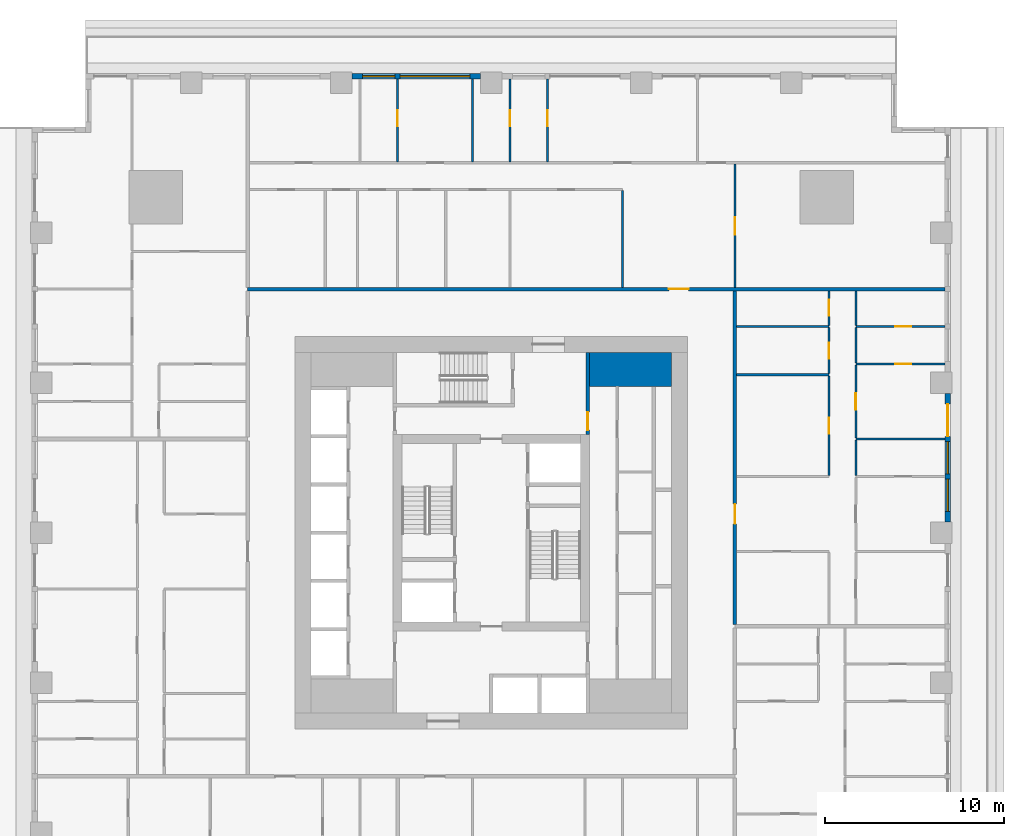
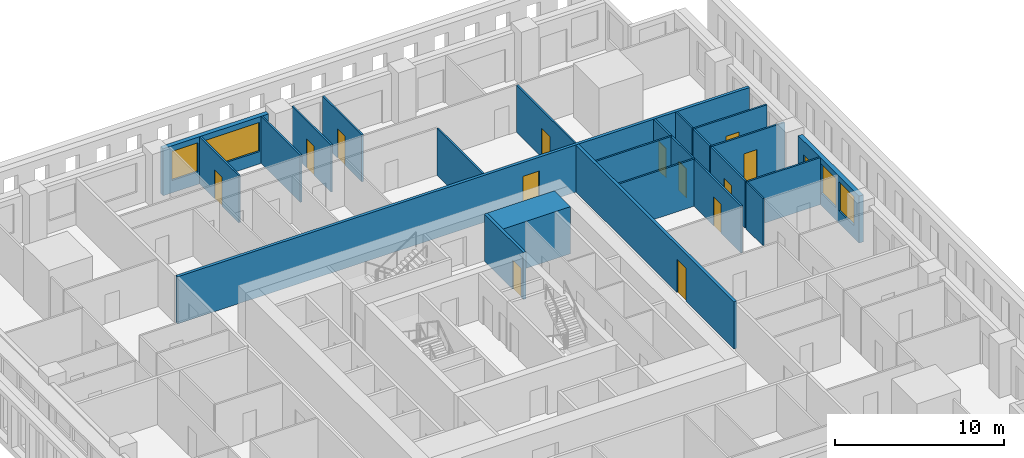
# One storey, part 8 of 14: 24 walls, 14 doors, 4 windows, 18 openings.
"""IFC4 building model written with IfcOpenShell, lengths in metres."""

import ifcopenshell
import ifcopenshell.guid

model = None  # the IFC model being written
_history = None  # IfcOwnerHistory: only IFC2X3 demands one
_inside = {}  # id of a spatial element -> (the spatial element, [elements in it])
_under = {}  # id of a project, library or spatial element -> (it, [spatial elements below it])
_declared = {}  # id of a project -> (the project, [libraries it declares])
_typed = {}  # id of a type object -> (the type object, [elements of that type])
_made_of = {}  # id of a material, layer set ... -> (it, [elements and type objects made of it])


def new_model(schema):
    """Start an empty IFC model of exactly this schema.

    Asked for "IFC4X3", IfcOpenShell would pick the latest addendum, in which some entities
    have other attributes; the version numbers below select the first issue.
    IFC2X3 requires an IfcOwnerHistory on every rooted entity: one is made here for all.
    """
    global model, _history
    if schema == "IFC4X3":
        model = ifcopenshell.file(schema_version=(4, 3, 0, 0))
    else:
        model = ifcopenshell.file(schema=schema)
    _inside.clear()
    _under.clear()
    _declared.clear()
    _typed.clear()
    _made_of.clear()
    _history = None
    if model.schema == "IFC2X3":
        org = make("IfcOrganization", Name="unknown")
        user = make(
            "IfcPersonAndOrganization",
            ThePerson=make("IfcPerson", FamilyName="unknown"),
            TheOrganization=org,
        )
        app = make(
            "IfcApplication",
            ApplicationDeveloper=org,
            Version="unknown",
            ApplicationFullName="unknown",
            ApplicationIdentifier="unknown",
        )
        _history = make(
            "IfcOwnerHistory",
            OwningUser=user,
            OwningApplication=app,
            ChangeAction="ADDED",
            CreationDate=0,
        )
    return model


def make(cls, **values):
    """One entity of the class cls with the attributes given. An attribute that is None is left unset."""
    return model.create_entity(
        cls, **{name: value for name, value in values.items() if value is not None}
    )


def rooted(cls, **values):
    """An entity with a GlobalId (a new one), such as an element, a storey or a relation."""
    return make(cls, GlobalId=ifcopenshell.guid.new(), OwnerHistory=_history, **values)


def si_unit(unit_type, name, prefix=None):
    """IfcSIUnit, for example si_unit("LENGTHUNIT", "METRE", prefix="MILLI")."""
    return make("IfcSIUnit", UnitType=unit_type, Prefix=prefix, Name=name)


def assignment(units):
    """IfcUnitAssignment: the units of a project."""
    return None if units is None else make("IfcUnitAssignment", Units=units)


def point(xyz):
    """IfcCartesianPoint."""
    return None if xyz is None else make("IfcCartesianPoint", Coordinates=xyz)


def direction(xyz):
    """IfcDirection."""
    return None if xyz is None else make("IfcDirection", DirectionRatios=xyz)


def frame(location, z_axis=None, x_axis=None):
    """IfcAxis2Placement3D, a coordinate frame: its origin and axes. An axis left out is left unset."""
    return make(
        "IfcAxis2Placement3D",
        Location=point(location),
        Axis=direction(z_axis),
        RefDirection=direction(x_axis),
    )


def frame_2d(location, x_axis=None):
    """IfcAxis2Placement2D, a coordinate frame in the plane: its origin and x axis."""
    return make(
        "IfcAxis2Placement2D", Location=point(location), RefDirection=direction(x_axis)
    )


def origin():
    """The frame at (0, 0, 0) with its axes left unset."""
    return frame((0.0, 0.0, 0.0))


def place(relative_to, where):
    """IfcLocalPlacement: puts the frame where relative to a parent placement (None: the world)."""
    return make(
        "IfcLocalPlacement", PlacementRelTo=relative_to, RelativePlacement=where
    )


def context(
    kind, dimensions, precision=None, world=None, true_north=None, identifier=None
):
    """IfcGeometricRepresentationContext, for example the 3D "Model" context."""
    return make(
        "IfcGeometricRepresentationContext",
        ContextIdentifier=identifier,
        ContextType=kind,
        CoordinateSpaceDimension=dimensions,
        Precision=precision,
        WorldCoordinateSystem=world,
        TrueNorth=true_north,
    )


def subcontext(parent, identifier, kind, view, scale=None):
    """IfcGeometricRepresentationSubContext, for example "Body" below "Model"."""
    return make(
        "IfcGeometricRepresentationSubContext",
        ContextIdentifier=identifier,
        ContextType=kind,
        ParentContext=parent,
        TargetScale=scale,
        TargetView=view,
    )


def project(units=None, contexts=None):
    """IfcProject with its units and contexts."""
    return rooted(
        "IfcProject",
        Name="project",
        RepresentationContexts=contexts,
        UnitsInContext=assignment(units),
    )


def spatial(cls, under=None, at=None, **own):
    """A site, building, storey or space (cls), placed at a placement, below another one or the project."""
    s = rooted(cls, ObjectPlacement=at, **own)
    if under is not None:
        _under.setdefault(under.id(), (under, []))[1].append(s)
    return s


def profile(cls, at=None, kind="AREA", **sizes):
    """A parametric profile (cls). Its sizes go by their IFC names, for example OverallWidth=200.0."""
    return make(cls, ProfileType=kind, Position=at, **sizes)


def rectangle(**sizes):
    """IfcRectangleProfileDef."""
    return profile("IfcRectangleProfileDef", **sizes)


def extrude(swept, where, along, depth):
    """IfcExtrudedAreaSolid: the profile swept, set in the frame where, extruded along a direction by depth."""
    return make(
        "IfcExtrudedAreaSolid",
        SweptArea=swept,
        Position=where,
        ExtrudedDirection=direction(along),
        Depth=depth,
    )


def shape(context_of_items, identifier, shape_type, items):
    """IfcShapeRepresentation: the items that make up one representation, for example the "Body"."""
    return make(
        "IfcShapeRepresentation",
        ContextOfItems=context_of_items,
        RepresentationIdentifier=identifier,
        RepresentationType=shape_type,
        Items=items,
    )


def material(Name=None, Category=None):
    """IfcMaterial."""
    return make("IfcMaterial", Name=Name, Category=Category)


def layer(
    of_material, thickness, ventilated=None, Name=None, Category=None, Priority=None
):
    """IfcMaterialLayer: one layer of a wall or slab, of a material (None: an air gap)."""
    return make(
        "IfcMaterialLayer",
        Material=of_material,
        LayerThickness=thickness,
        IsVentilated=ventilated,
        Name=Name,
        Category=Category,
        Priority=Priority,
    )


def layer_set(layers, Name=None):
    """IfcMaterialLayerSet."""
    return make("IfcMaterialLayerSet", MaterialLayers=layers, LayerSetName=Name)


def made_of(thing, what):
    """Note that an element or type object is made of a material, layer set ...; save() writes the relation."""
    if what is not None:
        _made_of.setdefault(what.id(), (what, []))[1].append(thing)
    return thing


def type_object(cls, material=None, **own):
    """A type object (cls), such as IfcWallType, which elements share."""
    return made_of(rooted(cls, **own), material)


def element(
    cls,
    number,
    at=None,
    inside=None,
    cuts=None,
    type_object=None,
    material=None,
    context=None,
    identifier="Body",
    shape_type=None,
    held_by="IfcProductDefinitionShape",
    body=None,
    shapes=None,
    **own,
):
    """One element of the class cls, such as IfcWall. Its Tag is "e" and its number.

    at: its placement. inside: the storey or other place that contains it. cuts: it is an
    opening in that element (IfcRelVoidsElement). A single representation is given by context,
    identifier, shape_type and body (its items); several are given by shapes. held_by: the class
    of the entity that holds the representations. save() writes the other relations.
    """
    e = rooted(cls, Tag="e%d" % number, ObjectPlacement=at, **own)
    if body is not None:
        shapes = [shape(context, identifier, shape_type, body)]
    if shapes is not None:
        e.Representation = make(held_by, Representations=shapes)
    if inside is not None:
        _inside.setdefault(inside.id(), (inside, []))[1].append(e)
    if cuts is not None:
        rooted(
            "IfcRelVoidsElement", RelatingBuildingElement=cuts, RelatedOpeningElement=e
        )
    if type_object is not None:
        _typed.setdefault(type_object.id(), (type_object, []))[1].append(e)
    return made_of(e, material)


def fill(opening, filler):
    """IfcRelFillsElement: the door or window that sits in an opening."""
    return rooted(
        "IfcRelFillsElement",
        RelatingOpeningElement=opening,
        RelatedBuildingElement=filler,
    )


def aggregate(whole, parts):
    """IfcRelAggregates: a whole, such as a stair, and the parts it consists of."""
    return rooted("IfcRelAggregates", RelatingObject=whole, RelatedObjects=parts)


def save(model, path):
    """Write the relations noted so far, then the file.

    IfcRelAggregates (storeys below a building ...), IfcRelContainedInSpatialStructure (elements
    in a storey), IfcRelDefinesByType, IfcRelAssociatesMaterial and IfcRelDeclares: one each for
    every whole, place, type object, material and project.
    """
    for whole, parts in _under.values():
        aggregate(whole, parts)
    for where, things in _inside.values():
        rooted(
            "IfcRelContainedInSpatialStructure",
            RelatedElements=things,
            RelatingStructure=where,
        )
    for kind, things in _typed.values():
        rooted("IfcRelDefinesByType", RelatedObjects=things, RelatingType=kind)
    for what, things in _made_of.values():
        rooted("IfcRelAssociatesMaterial", RelatedObjects=things, RelatingMaterial=what)
    for by, libraries in _declared.values():
        rooted("IfcRelDeclares", RelatingContext=by, RelatedDefinitions=libraries)
    model.write(path)


model = new_model("IFC4")

# Units and contexts
model_context = context("Model", 3, precision=1e-05, world=origin(), true_north=direction((0.0, 1.0)))
body_context = subcontext(model_context, "Body", "Model", "MODEL_VIEW")
ifc_project = project(units=[si_unit("LENGTHUNIT", "METRE"), si_unit("AREAUNIT", "SQUARE_METRE"), si_unit("VOLUMEUNIT", "CUBIC_METRE"), si_unit("PLANEANGLEUNIT", "RADIAN"), si_unit("MASSUNIT", "GRAM", prefix="KILO")], contexts=[model_context])

# Site, building, storey
site_placement = place(None, origin())
site = spatial("IfcSite", under=ifc_project, at=site_placement, CompositionType="ELEMENT")
building_placement = place(site_placement, origin())
building = spatial("IfcBuilding", under=site, at=building_placement, Name="Khepri Terraces", CompositionType="ELEMENT")
storey_placement = place(building_placement, frame((0.0, 0.0, 69.89990234375)))
storey = spatial("IfcBuildingStorey", under=building, at=storey_placement, Name="L16", CompositionType="ELEMENT", Elevation=69.89990234375)

# Wall
ifc_material_1 = material(Name="Concrete C80/95", Category="concrete")
ifc_layer_1 = layer(ifc_material_1, 1.89990234375, Name="Concrete C80/95", Category="concrete")
ifc_layer_set_1 = layer_set([ifc_layer_1], Name="Concrete C80/95")
wall_type_1 = type_object("IfcWallType", Name="Core wall 1900 C80/95", PredefinedType="SHEAR", material=ifc_layer_set_1)
wall_1_placement = place(storey_placement, frame((5.5, 9.14990234375, 0.0), z_axis=(0.0, 0.0, 1.0), x_axis=(1.0, 0.0, 0.0)))
element("IfcWall", 1, at=wall_1_placement, inside=storey, type_object=wall_type_1, Name="Core wall PR04 L16", PredefinedType="SHEAR", context=body_context, shape_type="SweptSolid", body=[
    extrude(rectangle(XDim=4.60009765625, YDim=1.89990234375, at=frame_2d((2.300048828125, 0.0))), origin(), (0.0, 0.0, 1.0), 3.400146484375),
])

# Wall, opening, door
ifc_material_2 = material(Name="Fire-rated gypsum board partition")
ifc_layer_2 = layer(ifc_material_2, 0.199951171875, Name="Fire-rated gypsum board partition")
ifc_layer_set_2 = layer_set([ifc_layer_2], Name="Fire-rated gypsum board partition")
wall_type_2 = type_object("IfcWallType", Name="WL-CORE-PART-200", PredefinedType="PARTITIONING", material=ifc_layer_set_2)
wall_2_placement = place(storey_placement, frame((5.39990234375, 5.5, 0.0), z_axis=(0.0, 0.0, 1.0), x_axis=(0.0, 1.0, 0.0)))
wall_2 = element("IfcWall", 2, at=wall_2_placement, inside=storey, type_object=wall_type_2, Name="Core partition PT08 L16", PredefinedType="PARTITIONING", context=body_context, shape_type="SweptSolid", body=[
    extrude(rectangle(XDim=4.60009765625, YDim=0.199951171875, at=frame_2d((2.300048828125, 0.0))), origin(), (0.0, 0.0, 1.0), 3.400146484375),
])
opening_1_placement = place(wall_2_placement, frame((0.25, 0.0, 0.0)))
opening_1 = element("IfcOpeningElement", 3, at=opening_1_placement, cuts=wall_2, Name="Opening L16-C17", PredefinedType="OPENING", context=body_context, shape_type="SweptSolid", body=[
    extrude(rectangle(XDim=1.0, YDim=2.10009765625, at=frame_2d((0.5, 1.050048828125))), frame((0.0, 0.10986328125, 0.0), z_axis=(0.0, -1.0, 0.0), x_axis=(1.0, 0.0, 0.0)), (0.0, 0.0, 1.0), 0.219970703125),
])
ifc_material_3 = material(Name="Painted steel", Category="steel")
door_type_1 = type_object("IfcDoorType", Name="DR-CORE-LOBBY-1000", OperationType="NOTDEFINED", PredefinedType="DOOR", material=ifc_material_3)
door_1_placement = place(opening_1_placement, origin())
door_1 = element("IfcDoor", 4, at=door_1_placement, inside=storey, type_object=door_type_1, Name="Lobby door L16-C17", OperationType="SINGLE_SWING_LEFT", OverallHeight=2.10009765625, OverallWidth=1.0, PredefinedType="DOOR", context=body_context, shape_type="SweptSolid", body=[
    extrude(rectangle(XDim=1.0, YDim=2.10009765625, at=frame_2d((0.5, 1.050048828125))), frame((0.0, 0.02490234375, 0.0), z_axis=(0.0, -1.0, 0.0), x_axis=(1.0, 0.0, 0.0)), (0.0, 0.0, 1.0), 0.050048828125),
])
fill(opening_1, door_1)

ifc_material_4 = material(Name="Fire-rated gypsum plasterboard partition, mineral wool")
ifc_layer_3 = layer(ifc_material_4, 0.199951171875, Name="Fire-rated gypsum plasterboard partition, mineral wool")
ifc_layer_set_3 = layer_set([ifc_layer_3], Name="Fire-rated gypsum plasterboard partition, mineral wool")
wall_type_3 = type_object("IfcWallType", Name="WL-CORR-200", PredefinedType="PARTITIONING", material=ifc_layer_set_3)
wall_3_placement = place(storey_placement, frame((13.64990234375, -5.14990234375, 0.0), z_axis=(0.0, 0.0, 1.0), x_axis=(0.0, 1.0, 0.0)))
wall_3 = element("IfcWall", 5, at=wall_3_placement, inside=storey, type_object=wall_type_3, Name="Partition P-042 L16", PredefinedType="PARTITIONING", context=body_context, shape_type="SweptSolid", body=[
    extrude(rectangle(XDim=18.699951171875, YDim=0.199951171875, at=frame_2d((9.35009765625, 0.0))), origin(), (0.0, 0.0, 1.0), 3.400146484375),
])
opening_2_placement = place(wall_3_placement, frame((5.64990234375, 0.0, 0.0)))
opening_2 = element("IfcOpeningElement", 6, at=opening_2_placement, cuts=wall_3, Name="Opening D1", PredefinedType="OPENING", context=body_context, shape_type="SweptSolid", body=[
    extrude(rectangle(XDim=1.10009765625, YDim=2.39990234375, at=frame_2d((0.550048828125, 1.199951171875))), frame((0.0, 0.10986328125, 0.0), z_axis=(0.0, -1.0, 0.0), x_axis=(1.0, 0.0, 0.0)), (0.0, 0.0, 1.0), 0.219970703125),
])
ifc_material_5 = material(Name="Solid-core timber door leaf, flat entrance door", Category="wood")
door_type_2 = type_object("IfcDoorType", Name="DR-ENT-1100", OperationType="NOTDEFINED", PredefinedType="DOOR", material=ifc_material_5)
door_2_placement = place(opening_2_placement, frame((1.10009765625, 0.0, 0.0), z_axis=(0.0, 0.0, 1.0), x_axis=(-1.0, 0.0, 0.0)))
door_2 = element("IfcDoor", 7, at=door_2_placement, inside=storey, type_object=door_type_2, Name="Flat B2 entrance door", OperationType="SINGLE_SWING_RIGHT", OverallHeight=2.39990234375, OverallWidth=1.10009765625, PredefinedType="DOOR", context=body_context, shape_type="SweptSolid", body=[
    extrude(rectangle(XDim=1.10009765625, YDim=2.39990234375, at=frame_2d((0.550048828125, 1.199951171875))), frame((0.0, 0.02490234375, 0.0), z_axis=(0.0, -1.0, 0.0), x_axis=(1.0, 0.0, 0.0)), (0.0, 0.0, 1.0), 0.050048828125),
])
fill(opening_2, door_2)

wall_4_placement = place(storey_placement, frame((-13.64990234375, 13.64990234375, 0.0), z_axis=(0.0, 0.0, 1.0), x_axis=(1.0, 0.0, 0.0)))
wall_4 = element("IfcWall", 8, at=wall_4_placement, inside=storey, type_object=wall_type_3, Name="Partition P-079 L16", PredefinedType="PARTITIONING", context=body_context, shape_type="SweptSolid", body=[
    extrude(rectangle(XDim=39.06982421875, YDim=0.199951171875, at=frame_2d((19.534912109375, 0.0))), origin(), (0.0, 0.0, 1.0), 3.400146484375),
])
opening_3_placement = place(wall_4_placement, frame((23.60009765625, 0.0, 0.0)))
opening_3 = element("IfcOpeningElement", 9, at=opening_3_placement, cuts=wall_4, Name="Opening D1", PredefinedType="OPENING", context=body_context, shape_type="SweptSolid", body=[
    extrude(rectangle(XDim=1.10009765625, YDim=2.39990234375, at=frame_2d((0.550048828125, 1.199951171875))), frame((0.0, 0.10986328125, 0.0), z_axis=(0.0, -1.0, 0.0), x_axis=(1.0, 0.0, 0.0)), (0.0, 0.0, 1.0), 0.219970703125),
])
door_3_placement = place(opening_3_placement, origin())
door_3 = element("IfcDoor", 10, at=door_3_placement, inside=storey, type_object=door_type_2, Name="Flat C1 entrance door", OperationType="SINGLE_SWING_RIGHT", OverallHeight=2.39990234375, OverallWidth=1.10009765625, PredefinedType="DOOR", context=body_context, shape_type="SweptSolid", body=[
    extrude(rectangle(XDim=1.10009765625, YDim=2.39990234375, at=frame_2d((0.550048828125, 1.199951171875))), frame((0.0, 0.02490234375, 0.0), z_axis=(0.0, -1.0, 0.0), x_axis=(1.0, 0.0, 0.0)), (0.0, 0.0, 1.0), 0.050048828125),
])
fill(opening_3, door_3)

# Wall, openings, door, windows
ifc_material_6 = material(Name="Precast concrete C50/60 warm stone", Category="masonry")
ifc_layer_4 = layer(ifc_material_6, 0.300048828125, Name="Precast concrete C50/60 warm stone", Category="masonry")
ifc_layer_set_4 = layer_set([ifc_layer_4], Name="Precast concrete C50/60 warm stone")
wall_type_4 = type_object("IfcWallType", Name="WL-EXT-PRECAST-300", PredefinedType="STANDARD", material=ifc_layer_set_4)
wall_5_placement = place(storey_placement, frame((25.570068359375, 0.60009765625, 0.0), z_axis=(0.0, 0.0, 1.0), x_axis=(0.0, 1.0, 0.0)))
wall_5 = element("IfcWall", 11, at=wall_5_placement, inside=storey, type_object=wall_type_4, Name="External wall L16 E", PredefinedType="STANDARD", context=body_context, shape_type="SweptSolid", body=[
    extrude(rectangle(XDim=7.199951171875, YDim=0.300048828125, at=frame_2d((3.60009765625, 0.0))), origin(), (0.0, 0.0, 1.0), 3.400146484375),
])
opening_4_placement = place(wall_5_placement, frame((0.60009765625, 0.0, 0.89990234375)))
opening_4 = element("IfcOpeningElement", 12, at=opening_4_placement, cuts=wall_5, Name="Opening W1", PredefinedType="OPENING", context=body_context, shape_type="SweptSolid", body=[
    extrude(rectangle(XDim=1.800048828125, YDim=2.10009765625, at=frame_2d((0.89990234375, 1.050048828125))), frame((0.0, 0.16015625, 0.0), z_axis=(0.0, -1.0, 0.0), x_axis=(1.0, 0.0, 0.0)), (0.0, 0.0, 1.0), 0.320068359375),
])
opening_5_placement = place(wall_5_placement, frame((2.699951171875, 0.0, 0.89990234375)))
opening_5 = element("IfcOpeningElement", 13, at=opening_5_placement, cuts=wall_5, Name="Opening W1", PredefinedType="OPENING", context=body_context, shape_type="SweptSolid", body=[
    extrude(rectangle(XDim=1.800048828125, YDim=2.10009765625, at=frame_2d((0.89990234375, 1.050048828125))), frame((0.0, 0.16015625, 0.0), z_axis=(0.0, -1.0, 0.0), x_axis=(1.0, 0.0, 0.0)), (0.0, 0.0, 1.0), 0.320068359375),
])
opening_6_placement = place(wall_5_placement, frame((4.800048828125, 0.0, 0.0)))
opening_6 = element("IfcOpeningElement", 14, at=opening_6_placement, cuts=wall_5, Name="Opening ED-L16-05", PredefinedType="OPENING", context=body_context, shape_type="SweptSolid", body=[
    extrude(rectangle(XDim=1.800048828125, YDim=2.39990234375, at=frame_2d((0.89990234375, 1.199951171875))), frame((0.0, 0.16015625, 0.0), z_axis=(0.0, -1.0, 0.0), x_axis=(1.0, 0.0, 0.0)), (0.0, 0.0, 1.0), 0.320068359375),
])
ifc_material_7 = material(Name="Anodised aluminium bronze glazed door", Category="aluminium")
door_type_3 = type_object("IfcDoorType", Name="DR-BAL-SLIDE-1800x2400", OperationType="NOTDEFINED", PredefinedType="DOOR", material=ifc_material_7)
door_4_placement = place(opening_6_placement, origin())
door_4 = element("IfcDoor", 15, at=door_4_placement, inside=storey, type_object=door_type_3, Name="Balcony door L16 E", OperationType="SLIDING_TO_RIGHT", OverallHeight=2.39990234375, OverallWidth=1.800048828125, PredefinedType="DOOR", context=body_context, shape_type="SweptSolid", body=[
    extrude(rectangle(XDim=1.800048828125, YDim=2.39990234375, at=frame_2d((0.89990234375, 1.199951171875))), frame((0.0, 0.02490234375, 0.0), z_axis=(0.0, -1.0, 0.0), x_axis=(1.0, 0.0, 0.0)), (0.0, 0.0, 1.0), 0.050048828125),
])
fill(opening_6, door_4)
ifc_material_8 = material(Name="Clear glass", Category="glass")
window_type_1 = type_object("IfcWindowType", Name="WIN-RES-1800x2100", PartitioningType="SINGLE_PANEL", PredefinedType="WINDOW", material=ifc_material_8)
window_1_placement = place(opening_4_placement, origin())
window_1 = element("IfcWindow", 16, at=window_1_placement, inside=storey, type_object=window_type_1, Name="Window L16 E", OverallHeight=2.10009765625, OverallWidth=1.800048828125, PartitioningType="SINGLE_PANEL", PredefinedType="WINDOW", context=body_context, shape_type="SweptSolid", body=[
    extrude(rectangle(XDim=1.800048828125, YDim=2.10009765625, at=frame_2d((0.89990234375, 1.050048828125))), frame((0.0, 0.030029296875, 0.0), z_axis=(0.0, -1.0, 0.0), x_axis=(1.0, 0.0, 0.0)), (0.0, 0.0, 1.0), 0.06005859375),
])
fill(opening_4, window_1)
window_2_placement = place(opening_5_placement, origin())
window_2 = element("IfcWindow", 17, at=window_2_placement, inside=storey, type_object=window_type_1, Name="Window L16 E", OverallHeight=2.10009765625, OverallWidth=1.800048828125, PartitioningType="SINGLE_PANEL", PredefinedType="WINDOW", context=body_context, shape_type="SweptSolid", body=[
    extrude(rectangle(XDim=1.800048828125, YDim=2.10009765625, at=frame_2d((0.89990234375, 1.050048828125))), frame((0.0, 0.030029296875, 0.0), z_axis=(0.0, -1.0, 0.0), x_axis=(1.0, 0.0, 0.0)), (0.0, 0.0, 1.0), 0.06005859375),
])
fill(opening_5, window_2)

# Wall, openings, windows
wall_6_placement = place(storey_placement, frame((-0.60009765625, 25.570068359375, 0.0), z_axis=(0.0, 0.0, 1.0), x_axis=(-1.0, 0.0, 0.0)))
wall_6 = element("IfcWall", 18, at=wall_6_placement, inside=storey, type_object=wall_type_4, Name="External wall L16 N", PredefinedType="STANDARD", context=body_context, shape_type="SweptSolid", body=[
    extrude(rectangle(XDim=7.199951171875, YDim=0.300048828125, at=frame_2d((3.60009765625, 0.0))), origin(), (0.0, 0.0, 1.0), 3.400146484375),
])
opening_7_placement = place(wall_6_placement, frame((0.60009765625, 0.0, 0.89990234375)))
opening_7 = element("IfcOpeningElement", 19, at=opening_7_placement, cuts=wall_6, Name="Opening W2", PredefinedType="OPENING", context=body_context, shape_type="SweptSolid", body=[
    extrude(rectangle(XDim=3.89990234375, YDim=2.10009765625, at=frame_2d((1.949951171875, 1.050048828125))), frame((0.0, 0.16015625, 0.0), z_axis=(0.0, -1.0, 0.0), x_axis=(1.0, 0.0, 0.0)), (0.0, 0.0, 1.0), 0.320068359375),
])
opening_8_placement = place(wall_6_placement, frame((4.800048828125, 0.0, 0.89990234375)))
opening_8 = element("IfcOpeningElement", 20, at=opening_8_placement, cuts=wall_6, Name="Opening W1", PredefinedType="OPENING", context=body_context, shape_type="SweptSolid", body=[
    extrude(rectangle(XDim=1.800048828125, YDim=2.10009765625, at=frame_2d((0.89990234375, 1.050048828125))), frame((0.0, 0.16015625, 0.0), z_axis=(0.0, -1.0, 0.0), x_axis=(1.0, 0.0, 0.0)), (0.0, 0.0, 1.0), 0.320068359375),
])
window_3_placement = place(opening_8_placement, origin())
window_3 = element("IfcWindow", 21, at=window_3_placement, inside=storey, type_object=window_type_1, Name="Window L16 N", OverallHeight=2.10009765625, OverallWidth=1.800048828125, PartitioningType="SINGLE_PANEL", PredefinedType="WINDOW", context=body_context, shape_type="SweptSolid", body=[
    extrude(rectangle(XDim=1.800048828125, YDim=2.10009765625, at=frame_2d((0.89990234375, 1.050048828125))), frame((0.0, 0.030029296875, 0.0), z_axis=(0.0, -1.0, 0.0), x_axis=(1.0, 0.0, 0.0)), (0.0, 0.0, 1.0), 0.06005859375),
])
fill(opening_8, window_3)
window_type_2 = type_object("IfcWindowType", Name="WIN-RES-3900x2100", PartitioningType="SINGLE_PANEL", PredefinedType="WINDOW", material=ifc_material_8)
window_4_placement = place(opening_7_placement, origin())
window_4 = element("IfcWindow", 22, at=window_4_placement, inside=storey, type_object=window_type_2, Name="Window L16 N", OverallHeight=2.10009765625, OverallWidth=3.89990234375, PartitioningType="SINGLE_PANEL", PredefinedType="WINDOW", context=body_context, shape_type="SweptSolid", body=[
    extrude(rectangle(XDim=3.89990234375, YDim=2.10009765625, at=frame_2d((1.949951171875, 1.050048828125))), frame((0.0, 0.030029296875, 0.0), z_axis=(0.0, -1.0, 0.0), x_axis=(1.0, 0.0, 0.0)), (0.0, 0.0, 1.0), 0.06005859375),
])
fill(opening_7, window_4)

# Wall, opening, door
ifc_material_9 = material(Name="Gypsum plasterboard partition")
ifc_layer_5 = layer(ifc_material_9, 0.1201171875, Name="Gypsum plasterboard partition")
ifc_layer_set_5 = layer_set([ifc_layer_5], Name="Gypsum plasterboard partition")
wall_type_5 = type_object("IfcWallType", Name="WL-PART-120", PredefinedType="PARTITIONING", material=ifc_layer_set_5)
wall_7_placement = place(storey_placement, frame((18.919921875, 3.2099609375, 0.0), z_axis=(0.0, 0.0, 1.0), x_axis=(0.0, 1.0, 0.0)))
wall_7 = element("IfcWall", 23, at=wall_7_placement, inside=storey, type_object=wall_type_5, Name="Partition P-055 L16", PredefinedType="PARTITIONING", context=body_context, shape_type="SweptSolid", body=[
    extrude(rectangle(XDim=5.580078125, YDim=0.1201171875, at=frame_2d((2.7900390625, 0.0))), origin(), (0.0, 0.0, 1.0), 3.400146484375),
])
opening_9_placement = place(wall_7_placement, frame((2.340087890625, 0.0, 0.0)))
opening_9 = element("IfcOpeningElement", 24, at=opening_9_placement, cuts=wall_7, Name="Opening D3", PredefinedType="OPENING", context=body_context, shape_type="SweptSolid", body=[
    extrude(rectangle(XDim=0.89990234375, YDim=2.10009765625, at=frame_2d((0.449951171875, 1.050048828125))), frame((0.0, 0.070068359375, 0.0), z_axis=(0.0, -1.0, 0.0), x_axis=(1.0, 0.0, 0.0)), (0.0, 0.0, 1.0), 0.14013671875),
])
ifc_material_10 = material(Name="Timber door leaf", Category="wood")
door_type_4 = type_object("IfcDoorType", Name="DR-INT-900", OperationType="NOTDEFINED", PredefinedType="DOOR", material=ifc_material_10)
door_5_placement = place(opening_9_placement, origin())
door_5 = element("IfcDoor", 25, at=door_5_placement, inside=storey, type_object=door_type_4, Name="Door Kitchen", OperationType="SINGLE_SWING_RIGHT", OverallHeight=2.10009765625, OverallWidth=0.89990234375, PredefinedType="DOOR", context=body_context, shape_type="SweptSolid", body=[
    extrude(rectangle(XDim=0.89990234375, YDim=2.10009765625, at=frame_2d((0.449951171875, 1.050048828125))), frame((0.0, 0.02490234375, 0.0), z_axis=(0.0, -1.0, 0.0), x_axis=(1.0, 0.0, 0.0)), (0.0, 0.0, 1.0), 0.050048828125),
])
fill(opening_9, door_5)

# Walls
wall_8_placement = place(storey_placement, frame((20.419921875, 3.2099609375, 0.0), z_axis=(0.0, 0.0, 1.0), x_axis=(0.0, 1.0, 0.0)))
element("IfcWall", 26, at=wall_8_placement, inside=storey, type_object=wall_type_5, Name="Partition P-056 L16", PredefinedType="PARTITIONING", context=body_context, shape_type="SweptSolid", body=[
    extrude(rectangle(XDim=1.97998046875, YDim=0.1201171875, at=frame_2d((0.989990234375, 0.0))), origin(), (0.0, 0.0, 1.0), 3.400146484375),
])
wall_9_placement = place(storey_placement, frame((20.419921875, 5.25, 0.0), z_axis=(0.0, 0.0, 1.0), x_axis=(1.0, 0.0, 0.0)))
element("IfcWall", 27, at=wall_9_placement, inside=storey, type_object=wall_type_5, Name="Partition P-058 L16", PredefinedType="PARTITIONING", context=body_context, shape_type="SweptSolid", body=[
    extrude(rectangle(XDim=5.0, YDim=0.1201171875, at=frame_2d((2.5, 0.0))), origin(), (0.0, 0.0, 1.0), 3.400146484375),
])

# Wall, opening, door
wall_10_placement = place(storey_placement, frame((20.419921875, 5.31005859375, 0.0), z_axis=(0.0, 0.0, 1.0), x_axis=(0.0, 1.0, 0.0)))
wall_10 = element("IfcWall", 28, at=wall_10_placement, inside=storey, type_object=wall_type_5, Name="Partition P-059 L16", PredefinedType="PARTITIONING", context=body_context, shape_type="SweptSolid", body=[
    extrude(rectangle(XDim=4.079833984375, YDim=0.1201171875, at=frame_2d((2.0400390625, 0.0))), origin(), (0.0, 0.0, 1.0), 3.400146484375),
])
opening_10_placement = place(wall_10_placement, frame((1.590087890625, 0.0, 0.0)))
opening_10 = element("IfcOpeningElement", 29, at=opening_10_placement, cuts=wall_10, Name="Opening D3", PredefinedType="OPENING", context=body_context, shape_type="SweptSolid", body=[
    extrude(rectangle(XDim=0.89990234375, YDim=2.10009765625, at=frame_2d((0.449951171875, 1.050048828125))), frame((0.0, 0.070068359375, 0.0), z_axis=(0.0, -1.0, 0.0), x_axis=(1.0, 0.0, 0.0)), (0.0, 0.0, 1.0), 0.14013671875),
])
door_6_placement = place(opening_10_placement, frame((0.89990234375, 0.0, 0.0), z_axis=(0.0, 0.0, 1.0), x_axis=(-1.0, 0.0, 0.0)))
door_6 = element("IfcDoor", 30, at=door_6_placement, inside=storey, type_object=door_type_4, Name="Door Master Bedroom", OperationType="SINGLE_SWING_RIGHT", OverallHeight=2.10009765625, OverallWidth=0.89990234375, PredefinedType="DOOR", context=body_context, shape_type="SweptSolid", body=[
    extrude(rectangle(XDim=0.89990234375, YDim=2.10009765625, at=frame_2d((0.449951171875, 1.050048828125))), frame((0.0, 0.02490234375, 0.0), z_axis=(0.0, -1.0, 0.0), x_axis=(1.0, 0.0, 0.0)), (0.0, 0.0, 1.0), 0.050048828125),
])
fill(opening_10, door_6)

# Wall
wall_11_placement = place(storey_placement, frame((13.75, 8.85009765625, 0.0), z_axis=(0.0, 0.0, 1.0), x_axis=(1.0, 0.0, 0.0)))
element("IfcWall", 31, at=wall_11_placement, inside=storey, type_object=wall_type_5, Name="Partition P-067 L16", PredefinedType="PARTITIONING", context=body_context, shape_type="SweptSolid", body=[
    extrude(rectangle(XDim=5.169921875, YDim=0.1201171875, at=frame_2d((2.5849609375, 0.0))), origin(), (0.0, 0.0, 1.0), 3.400146484375),
])

# Wall, opening, door
wall_12_placement = place(storey_placement, frame((18.919921875, 8.909912109375, 0.0), z_axis=(0.0, 0.0, 1.0), x_axis=(0.0, 1.0, 0.0)))
wall_12 = element("IfcWall", 32, at=wall_12_placement, inside=storey, type_object=wall_type_5, Name="Partition P-068 L16", PredefinedType="PARTITIONING", context=body_context, shape_type="SweptSolid", body=[
    extrude(rectangle(XDim=2.580078125, YDim=0.1201171875, at=frame_2d((1.2900390625, 0.0))), origin(), (0.0, 0.0, 1.0), 3.400146484375),
])
opening_11_placement = place(wall_12_placement, frame((0.840087890625, 0.0, 0.0)))
opening_11 = element("IfcOpeningElement", 33, at=opening_11_placement, cuts=wall_12, Name="Opening D4", PredefinedType="OPENING", context=body_context, shape_type="SweptSolid", body=[
    extrude(rectangle(XDim=0.89990234375, YDim=2.10009765625, at=frame_2d((0.449951171875, 1.050048828125))), frame((0.0, 0.070068359375, 0.0), z_axis=(0.0, -1.0, 0.0), x_axis=(1.0, 0.0, 0.0)), (0.0, 0.0, 1.0), 0.14013671875),
])
ifc_material_11 = material(Name="Timber door leaf, moisture resistant", Category="wood")
door_type_5 = type_object("IfcDoorType", Name="DR-WET-900", OperationType="NOTDEFINED", PredefinedType="DOOR", material=ifc_material_11)
door_7_placement = place(opening_11_placement, origin())
door_7 = element("IfcDoor", 34, at=door_7_placement, inside=storey, type_object=door_type_5, Name="Door Powder Room", OperationType="SINGLE_SWING_LEFT", OverallHeight=2.10009765625, OverallWidth=0.89990234375, PredefinedType="DOOR", context=body_context, shape_type="SweptSolid", body=[
    extrude(rectangle(XDim=0.89990234375, YDim=2.10009765625, at=frame_2d((0.449951171875, 1.050048828125))), frame((0.0, 0.02490234375, 0.0), z_axis=(0.0, -1.0, 0.0), x_axis=(1.0, 0.0, 0.0)), (0.0, 0.0, 1.0), 0.050048828125),
])
fill(opening_11, door_7)

wall_13_placement = place(storey_placement, frame((20.419921875, 9.449951171875, 0.0), z_axis=(0.0, 0.0, 1.0), x_axis=(1.0, 0.0, 0.0)))
wall_13 = element("IfcWall", 35, at=wall_13_placement, inside=storey, type_object=wall_type_5, Name="Partition P-071 L16", PredefinedType="PARTITIONING", context=body_context, shape_type="SweptSolid", body=[
    extrude(rectangle(XDim=5.0, YDim=0.1201171875, at=frame_2d((2.5, 0.0))), origin(), (0.0, 0.0, 1.0), 3.400146484375),
])
opening_12_placement = place(wall_13_placement, frame((2.199951171875, 0.0, 0.0)))
opening_12 = element("IfcOpeningElement", 36, at=opening_12_placement, cuts=wall_13, Name="Opening D3", PredefinedType="OPENING", context=body_context, shape_type="SweptSolid", body=[
    extrude(rectangle(XDim=0.89990234375, YDim=2.10009765625, at=frame_2d((0.449951171875, 1.050048828125))), frame((0.0, 0.070068359375, 0.0), z_axis=(0.0, -1.0, 0.0), x_axis=(1.0, 0.0, 0.0)), (0.0, 0.0, 1.0), 0.14013671875),
])
door_8_placement = place(opening_12_placement, origin())
door_8 = element("IfcDoor", 37, at=door_8_placement, inside=storey, type_object=door_type_4, Name="Door Dressing Room", OperationType="SINGLE_SWING_RIGHT", OverallHeight=2.10009765625, OverallWidth=0.89990234375, PredefinedType="DOOR", context=body_context, shape_type="SweptSolid", body=[
    extrude(rectangle(XDim=0.89990234375, YDim=2.10009765625, at=frame_2d((0.449951171875, 1.050048828125))), frame((0.0, 0.02490234375, 0.0), z_axis=(0.0, -1.0, 0.0), x_axis=(1.0, 0.0, 0.0)), (0.0, 0.0, 1.0), 0.050048828125),
])
fill(opening_12, door_8)

# Walls
wall_14_placement = place(storey_placement, frame((20.419921875, 9.510009765625, 0.0), z_axis=(0.0, 0.0, 1.0), x_axis=(0.0, 1.0, 0.0)))
element("IfcWall", 38, at=wall_14_placement, inside=storey, type_object=wall_type_5, Name="Partition P-073 L16", PredefinedType="PARTITIONING", context=body_context, shape_type="SweptSolid", body=[
    extrude(rectangle(XDim=1.97998046875, YDim=0.1201171875, at=frame_2d((0.989990234375, 0.0))), origin(), (0.0, 0.0, 1.0), 3.400146484375),
])
wall_15_placement = place(storey_placement, frame((13.75, 11.550048828125, 0.0), z_axis=(0.0, 0.0, 1.0), x_axis=(1.0, 0.0, 0.0)))
element("IfcWall", 39, at=wall_15_placement, inside=storey, type_object=wall_type_5, Name="Partition P-074 L16", PredefinedType="PARTITIONING", context=body_context, shape_type="SweptSolid", body=[
    extrude(rectangle(XDim=5.169921875, YDim=0.1201171875, at=frame_2d((2.5849609375, 0.0))), origin(), (0.0, 0.0, 1.0), 3.400146484375),
])

# Wall, opening, door
wall_16_placement = place(storey_placement, frame((20.419921875, 11.550048828125, 0.0), z_axis=(0.0, 0.0, 1.0), x_axis=(1.0, 0.0, 0.0)))
wall_16 = element("IfcWall", 40, at=wall_16_placement, inside=storey, type_object=wall_type_5, Name="Partition P-075 L16", PredefinedType="PARTITIONING", context=body_context, shape_type="SweptSolid", body=[
    extrude(rectangle(XDim=5.0, YDim=0.1201171875, at=frame_2d((2.5, 0.0))), origin(), (0.0, 0.0, 1.0), 3.400146484375),
])
opening_13_placement = place(wall_16_placement, frame((2.199951171875, 0.0, 0.0)))
opening_13 = element("IfcOpeningElement", 41, at=opening_13_placement, cuts=wall_16, Name="Opening D4", PredefinedType="OPENING", context=body_context, shape_type="SweptSolid", body=[
    extrude(rectangle(XDim=0.89990234375, YDim=2.10009765625, at=frame_2d((0.449951171875, 1.050048828125))), frame((0.0, 0.070068359375, 0.0), z_axis=(0.0, -1.0, 0.0), x_axis=(1.0, 0.0, 0.0)), (0.0, 0.0, 1.0), 0.14013671875),
])
door_9_placement = place(opening_13_placement, origin())
door_9 = element("IfcDoor", 42, at=door_9_placement, inside=storey, type_object=door_type_5, Name="Door Bathroom", OperationType="SINGLE_SWING_RIGHT", OverallHeight=2.10009765625, OverallWidth=0.89990234375, PredefinedType="DOOR", context=body_context, shape_type="SweptSolid", body=[
    extrude(rectangle(XDim=0.89990234375, YDim=2.10009765625, at=frame_2d((0.449951171875, 1.050048828125))), frame((0.0, 0.02490234375, 0.0), z_axis=(0.0, -1.0, 0.0), x_axis=(1.0, 0.0, 0.0)), (0.0, 0.0, 1.0), 0.050048828125),
])
fill(opening_13, door_9)

wall_17_placement = place(storey_placement, frame((18.919921875, 11.610107421875, 0.0), z_axis=(0.0, 0.0, 1.0), x_axis=(0.0, 1.0, 0.0)))
wall_17 = element("IfcWall", 43, at=wall_17_placement, inside=storey, type_object=wall_type_5, Name="Partition P-076 L16", PredefinedType="PARTITIONING", context=body_context, shape_type="SweptSolid", body=[
    extrude(rectangle(XDim=1.93994140625, YDim=0.1201171875, at=frame_2d((0.969970703125, 0.0))), origin(), (0.0, 0.0, 1.0), 3.400146484375),
])
opening_14_placement = place(wall_17_placement, frame((0.5400390625, 0.0, 0.0)))
opening_14 = element("IfcOpeningElement", 44, at=opening_14_placement, cuts=wall_17, Name="Opening D4", PredefinedType="OPENING", context=body_context, shape_type="SweptSolid", body=[
    extrude(rectangle(XDim=0.89990234375, YDim=2.10009765625, at=frame_2d((0.449951171875, 1.050048828125))), frame((0.0, 0.070068359375, 0.0), z_axis=(0.0, -1.0, 0.0), x_axis=(1.0, 0.0, 0.0)), (0.0, 0.0, 1.0), 0.14013671875),
])
door_10_placement = place(opening_14_placement, origin())
door_10 = element("IfcDoor", 45, at=door_10_placement, inside=storey, type_object=door_type_5, Name="Door Guest Bathroom", OperationType="SINGLE_SWING_RIGHT", OverallHeight=2.10009765625, OverallWidth=0.89990234375, PredefinedType="DOOR", context=body_context, shape_type="SweptSolid", body=[
    extrude(rectangle(XDim=0.89990234375, YDim=2.10009765625, at=frame_2d((0.449951171875, 1.050048828125))), frame((0.0, 0.02490234375, 0.0), z_axis=(0.0, -1.0, 0.0), x_axis=(1.0, 0.0, 0.0)), (0.0, 0.0, 1.0), 0.050048828125),
])
fill(opening_14, door_10)

# Walls
wall_18_placement = place(storey_placement, frame((20.419921875, 11.610107421875, 0.0), z_axis=(0.0, 0.0, 1.0), x_axis=(0.0, 1.0, 0.0)))
element("IfcWall", 46, at=wall_18_placement, inside=storey, type_object=wall_type_5, Name="Partition P-077 L16", PredefinedType="PARTITIONING", context=body_context, shape_type="SweptSolid", body=[
    extrude(rectangle(XDim=1.93994140625, YDim=0.1201171875, at=frame_2d((0.969970703125, 0.0))), origin(), (0.0, 0.0, 1.0), 3.400146484375),
])
wall_19_placement = place(storey_placement, frame((7.35009765625, 13.75, 0.0), z_axis=(0.0, 0.0, 1.0), x_axis=(0.0, 1.0, 0.0)))
element("IfcWall", 47, at=wall_19_placement, inside=storey, type_object=wall_type_5, Name="Partition P-087 L16", PredefinedType="PARTITIONING", context=body_context, shape_type="SweptSolid", body=[
    extrude(rectangle(XDim=5.409912109375, YDim=0.1201171875, at=frame_2d((2.705078125, 0.0))), origin(), (0.0, 0.0, 1.0), 3.400146484375),
])

# Wall, opening, door
wall_20_placement = place(storey_placement, frame((13.64990234375, 13.75, 0.0), z_axis=(0.0, 0.0, 1.0), x_axis=(0.0, 1.0, 0.0)))
wall_20 = element("IfcWall", 48, at=wall_20_placement, inside=storey, type_object=wall_type_5, Name="Partition P-088 L16", PredefinedType="PARTITIONING", context=body_context, shape_type="SweptSolid", body=[
    extrude(rectangle(XDim=6.909912109375, YDim=0.1201171875, at=frame_2d((3.455078125, 0.0))), origin(), (0.0, 0.0, 1.0), 3.400146484375),
])
opening_15_placement = place(wall_20_placement, frame((2.93505859375, 0.0, 0.0)))
opening_15 = element("IfcOpeningElement", 49, at=opening_15_placement, cuts=wall_20, Name="Opening D2", PredefinedType="OPENING", context=body_context, shape_type="SweptSolid", body=[
    extrude(rectangle(XDim=1.0, YDim=2.10009765625, at=frame_2d((0.5, 1.050048828125))), frame((0.0, 0.070068359375, 0.0), z_axis=(0.0, -1.0, 0.0), x_axis=(1.0, 0.0, 0.0)), (0.0, 0.0, 1.0), 0.14013671875),
])
ifc_material_12 = material(Name="Timber door leaf, living room door", Category="wood")
door_type_6 = type_object("IfcDoorType", Name="DR-INT-1000", OperationType="NOTDEFINED", PredefinedType="DOOR", material=ifc_material_12)
door_11_placement = place(opening_15_placement, frame((1.0, 0.0, 0.0), z_axis=(0.0, 0.0, 1.0), x_axis=(-1.0, 0.0, 0.0)))
door_11 = element("IfcDoor", 50, at=door_11_placement, inside=storey, type_object=door_type_6, Name="Door Family Room", OperationType="SINGLE_SWING_RIGHT", OverallHeight=2.10009765625, OverallWidth=1.0, PredefinedType="DOOR", context=body_context, shape_type="SweptSolid", body=[
    extrude(rectangle(XDim=1.0, YDim=2.10009765625, at=frame_2d((0.5, 1.050048828125))), frame((0.0, 0.02490234375, 0.0), z_axis=(0.0, -1.0, 0.0), x_axis=(1.0, 0.0, 0.0)), (0.0, 0.0, 1.0), 0.050048828125),
])
fill(opening_15, door_11)

wall_21_placement = place(storey_placement, frame((-5.25, 20.780029296875, 0.0), z_axis=(0.0, 0.0, 1.0), x_axis=(0.0, 1.0, 0.0)))
wall_21 = element("IfcWall", 51, at=wall_21_placement, inside=storey, type_object=wall_type_5, Name="Partition P-095 L16", PredefinedType="PARTITIONING", context=body_context, shape_type="SweptSolid", body=[
    extrude(rectangle(XDim=4.639892578125, YDim=0.1201171875, at=frame_2d((2.31982421875, 0.0))), origin(), (0.0, 0.0, 1.0), 3.400146484375),
])
opening_16_placement = place(wall_21_placement, frame((1.989990234375, 0.0, 0.0)))
opening_16 = element("IfcOpeningElement", 52, at=opening_16_placement, cuts=wall_21, Name="Opening D4", PredefinedType="OPENING", context=body_context, shape_type="SweptSolid", body=[
    extrude(rectangle(XDim=0.89990234375, YDim=2.10009765625, at=frame_2d((0.449951171875, 1.050048828125))), frame((0.0, 0.070068359375, 0.0), z_axis=(0.0, -1.0, 0.0), x_axis=(1.0, 0.0, 0.0)), (0.0, 0.0, 1.0), 0.14013671875),
])
door_12_placement = place(opening_16_placement, origin())
door_12 = element("IfcDoor", 53, at=door_12_placement, inside=storey, type_object=door_type_5, Name="Door Bathroom", OperationType="SINGLE_SWING_RIGHT", OverallHeight=2.10009765625, OverallWidth=0.89990234375, PredefinedType="DOOR", context=body_context, shape_type="SweptSolid", body=[
    extrude(rectangle(XDim=0.89990234375, YDim=2.10009765625, at=frame_2d((0.449951171875, 1.050048828125))), frame((0.0, 0.02490234375, 0.0), z_axis=(0.0, -1.0, 0.0), x_axis=(1.0, 0.0, 0.0)), (0.0, 0.0, 1.0), 0.050048828125),
])
fill(opening_16, door_12)

# Wall
wall_22_placement = place(storey_placement, frame((-1.050048828125, 20.780029296875, 0.0), z_axis=(0.0, 0.0, 1.0), x_axis=(0.0, 1.0, 0.0)))
element("IfcWall", 54, at=wall_22_placement, inside=storey, type_object=wall_type_5, Name="Partition P-096 L16", PredefinedType="PARTITIONING", context=body_context, shape_type="SweptSolid", body=[
    extrude(rectangle(XDim=4.639892578125, YDim=0.1201171875, at=frame_2d((2.31982421875, 0.0))), origin(), (0.0, 0.0, 1.0), 3.400146484375),
])

# Wall, opening, door
wall_23_placement = place(storey_placement, frame((1.050048828125, 20.780029296875, 0.0), z_axis=(0.0, 0.0, 1.0), x_axis=(0.0, 1.0, 0.0)))
wall_23 = element("IfcWall", 55, at=wall_23_placement, inside=storey, type_object=wall_type_5, Name="Partition P-097 L16", PredefinedType="PARTITIONING", context=body_context, shape_type="SweptSolid", body=[
    extrude(rectangle(XDim=4.639892578125, YDim=0.1201171875, at=frame_2d((2.31982421875, 0.0))), origin(), (0.0, 0.0, 1.0), 3.400146484375),
])
opening_17_placement = place(wall_23_placement, frame((1.989990234375, 0.0, 0.0)))
opening_17 = element("IfcOpeningElement", 56, at=opening_17_placement, cuts=wall_23, Name="Opening D4", PredefinedType="OPENING", context=body_context, shape_type="SweptSolid", body=[
    extrude(rectangle(XDim=0.89990234375, YDim=2.10009765625, at=frame_2d((0.449951171875, 1.050048828125))), frame((0.0, 0.070068359375, 0.0), z_axis=(0.0, -1.0, 0.0), x_axis=(1.0, 0.0, 0.0)), (0.0, 0.0, 1.0), 0.14013671875),
])
door_13_placement = place(opening_17_placement, origin())
door_13 = element("IfcDoor", 57, at=door_13_placement, inside=storey, type_object=door_type_5, Name="Door Bathroom", OperationType="SINGLE_SWING_RIGHT", OverallHeight=2.10009765625, OverallWidth=0.89990234375, PredefinedType="DOOR", context=body_context, shape_type="SweptSolid", body=[
    extrude(rectangle(XDim=0.89990234375, YDim=2.10009765625, at=frame_2d((0.449951171875, 1.050048828125))), frame((0.0, 0.02490234375, 0.0), z_axis=(0.0, -1.0, 0.0), x_axis=(1.0, 0.0, 0.0)), (0.0, 0.0, 1.0), 0.050048828125),
])
fill(opening_17, door_13)

wall_24_placement = place(storey_placement, frame((3.14990234375, 20.780029296875, 0.0), z_axis=(0.0, 0.0, 1.0), x_axis=(0.0, 1.0, 0.0)))
wall_24 = element("IfcWall", 58, at=wall_24_placement, inside=storey, type_object=wall_type_5, Name="Partition P-098 L16", PredefinedType="PARTITIONING", context=body_context, shape_type="SweptSolid", body=[
    extrude(rectangle(XDim=4.639892578125, YDim=0.1201171875, at=frame_2d((2.31982421875, 0.0))), origin(), (0.0, 0.0, 1.0), 3.400146484375),
])
opening_18_placement = place(wall_24_placement, frame((1.989990234375, 0.0, 0.0)))
opening_18 = element("IfcOpeningElement", 59, at=opening_18_placement, cuts=wall_24, Name="Opening D3", PredefinedType="OPENING", context=body_context, shape_type="SweptSolid", body=[
    extrude(rectangle(XDim=0.89990234375, YDim=2.10009765625, at=frame_2d((0.449951171875, 1.050048828125))), frame((0.0, 0.070068359375, 0.0), z_axis=(0.0, -1.0, 0.0), x_axis=(1.0, 0.0, 0.0)), (0.0, 0.0, 1.0), 0.14013671875),
])
door_14_placement = place(opening_18_placement, origin())
door_14 = element("IfcDoor", 60, at=door_14_placement, inside=storey, type_object=door_type_4, Name="Door Dressing Room", OperationType="SINGLE_SWING_RIGHT", OverallHeight=2.10009765625, OverallWidth=0.89990234375, PredefinedType="DOOR", context=body_context, shape_type="SweptSolid", body=[
    extrude(rectangle(XDim=0.89990234375, YDim=2.10009765625, at=frame_2d((0.449951171875, 1.050048828125))), frame((0.0, 0.02490234375, 0.0), z_axis=(0.0, -1.0, 0.0), x_axis=(1.0, 0.0, 0.0)), (0.0, 0.0, 1.0), 0.050048828125),
])
fill(opening_18, door_14)

save(model, "model.ifc")
